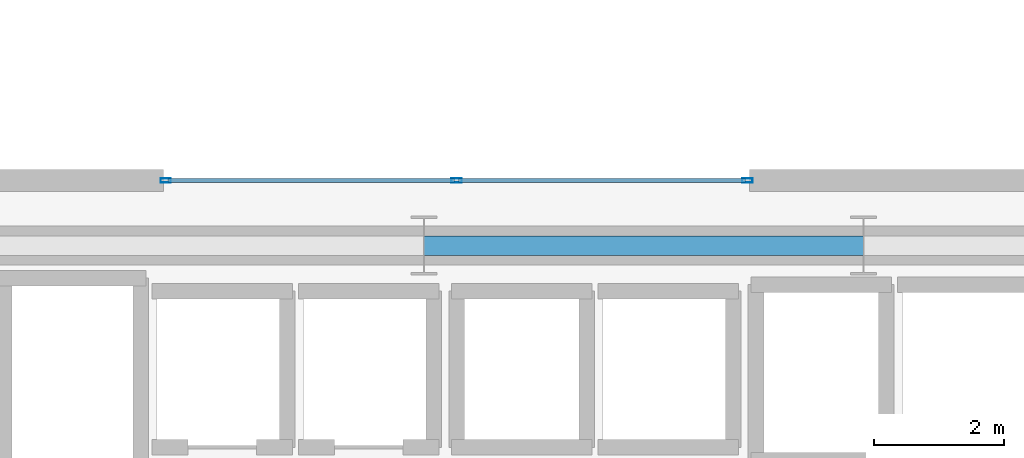
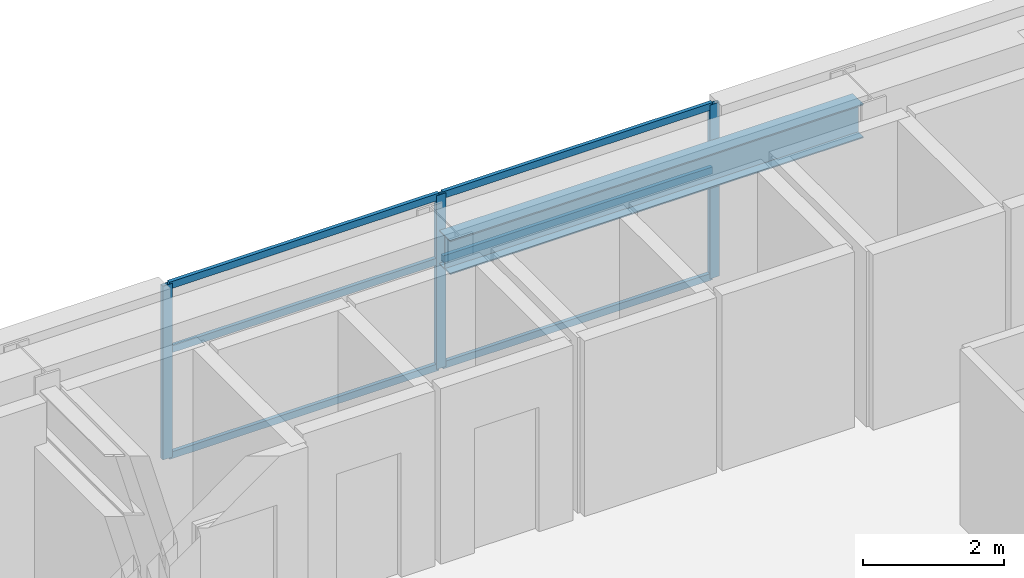
# One storey, part 4 of 22: 9 members, 1 beam, 1 element without a shape of its own.
"""IFC4 building model written with IfcOpenShell, lengths in metres."""

from ifc_helpers import new_model, si_unit, direction, frame, origin, origin_2d, place, context, subcontext, project, spatial, hollow_rectangle, i_section, extrude, material, layer, layer_set, material_profile, profile_set, type_object, element, aggregate, save


model = new_model("IFC4")

# Units and contexts
model_context = context("Model", 3, precision=1e-05, world=origin(), true_north=direction((0.0, 1.0)))
body_context = subcontext(model_context, "Body", "Model", "MODEL_VIEW")
ifc_project = project(units=[si_unit("LENGTHUNIT", "METRE"), si_unit("AREAUNIT", "SQUARE_METRE"), si_unit("VOLUMEUNIT", "CUBIC_METRE"), si_unit("PLANEANGLEUNIT", "RADIAN"), si_unit("MASSUNIT", "GRAM", prefix="KILO")], contexts=[model_context])

# Site, building, storey
site_placement = place(None, origin())
site = spatial("IfcSite", under=ifc_project, at=site_placement, CompositionType="ELEMENT")
building_placement = place(site_placement, origin())
building = spatial("IfcBuilding", under=site, at=building_placement, Name="Haevon Station Towers", CompositionType="ELEMENT")
storey_placement = place(building_placement, frame((0.0, 0.0, 70.199951171875)))
storey = spatial("IfcBuildingStorey", under=building, at=storey_placement, Name="L18", CompositionType="ELEMENT", Elevation=70.199951171875)

# Beam
ifc_material_1 = material(Name="Steel S355", Category="steel")
ifc_material_profile_1 = material_profile(ifc_material_1, i_section(OverallWidth=0.300048828125, OverallDepth=0.587890625, WebThickness=0.011962890625, FlangeThickness=0.02001953125, at=origin_2d()), Name="H-588x300x12x20")
ifc_profile_set_1 = profile_set([ifc_material_profile_1], Name="Steel S355")
beam_type = type_object("IfcBeamType", Name="BM-SP588", PredefinedType="SPANDREL", material=ifc_profile_set_1)
beam_placement = place(storey_placement, frame((37.5, 48.0, 2.756103515625), z_axis=(1.0, 0.0, 0.0), x_axis=(0.0, 1.0, 0.0)))
element("IfcBeam", 1, at=beam_placement, inside=storey, type_object=beam_type, Name="BM-T1U-L18-04-04", PredefinedType="SPANDREL", context=body_context, shape_type="SweptSolid", body=[
    extrude(i_section(OverallWidth=0.300048828125, OverallDepth=0.587890625, WebThickness=0.011962890625, FlangeThickness=0.02001953125, at=origin_2d()), origin(), (0.0, 0.0, 1.0), 6.75),
])

# Curtain wall, members
ifc_material_2 = material(Name="Anodised aluminium and Low-E double glazing", Category="aluminium")
ifc_layer = layer(ifc_material_2, 0.179931640625)
ifc_layer_set = layer_set([ifc_layer], Name="Anodised aluminium and Low-E double glazing")
curtain_wall_type = type_object("IfcCurtainWallType", Name="CW-SYS4", PredefinedType="NOTDEFINED", material=ifc_layer_set)
curtain_wall_placement = place(storey_placement, origin())
curtain_wall = element("IfcCurtainWall", 2, at=curtain_wall_placement, inside=storey, type_object=curtain_wall_type, Name="L18 Curtain Wall CW-T1-L18-N", PredefinedType="NOTDEFINED")
ifc_material_3 = material(Name="Anodised aluminium 6063-T6", Category="aluminium")
ifc_material_profile_2 = material_profile(ifc_material_3, hollow_rectangle(XDim=0.06494140625, YDim=0.159912109375, WallThickness=0.00390625, at=origin_2d()), Name="CWM-160x65x4")
ifc_profile_set_2 = profile_set([ifc_material_profile_2], Name="Anodised aluminium 6063-T6")
member_type_1 = type_object("IfcMemberType", Name="CWM-160", PredefinedType="MULLION", material=ifc_profile_set_2)
member_1_placement = place(storey_placement, frame((33.532470703125, 49.0, 0.0), z_axis=(0.0, 0.0, 1.0), x_axis=(0.0, 1.0, 0.0)))
member_1 = element("IfcMember", 3, at=member_1_placement, type_object=member_type_1, Name="CW-SYS4 mullion 1", PredefinedType="MULLION", context=body_context, shape_type="SweptSolid", body=[
    extrude(hollow_rectangle(XDim=0.06494140625, YDim=0.159912109375, WallThickness=0.00390625, at=origin_2d()), origin(), (0.0, 0.0, 1.0), 3.0),
])
member_2_placement = place(storey_placement, frame((38.0, 49.0, 0.0), z_axis=(0.0, 0.0, 1.0), x_axis=(0.0, 1.0, 0.0)))
member_2 = element("IfcMember", 4, at=member_2_placement, type_object=member_type_1, Name="CW-SYS4 mullion 2", PredefinedType="MULLION", context=body_context, shape_type="SweptSolid", body=[
    extrude(hollow_rectangle(XDim=0.06494140625, YDim=0.159912109375, WallThickness=0.00390625, at=origin_2d()), origin(), (0.0, 0.0, 1.0), 3.0),
])
member_3_placement = place(storey_placement, frame((42.467529296875, 49.0, 0.0), z_axis=(0.0, 0.0, 1.0), x_axis=(0.0, 1.0, 0.0)))
member_3 = element("IfcMember", 5, at=member_3_placement, type_object=member_type_1, Name="CW-SYS4 mullion 3", PredefinedType="MULLION", context=body_context, shape_type="SweptSolid", body=[
    extrude(hollow_rectangle(XDim=0.06494140625, YDim=0.159912109375, WallThickness=0.00390625, at=origin_2d()), origin(), (0.0, 0.0, 1.0), 3.0),
])
ifc_material_profile_3 = material_profile(ifc_material_3, hollow_rectangle(XDim=0.06005859375, YDim=0.1201171875, WallThickness=0.0029296875, at=origin_2d()), Name="CWT-120x60x3")
ifc_profile_set_3 = profile_set([ifc_material_profile_3], Name="Anodised aluminium 6063-T6")
member_type_2 = type_object("IfcMemberType", Name="CWT-120", PredefinedType="USERDEFINED", material=ifc_profile_set_3)
member_4_placement = place(storey_placement, frame((33.56494140625, 49.0, 0.030029296875), z_axis=(1.0, 0.0, 0.0), x_axis=(0.0, 1.0, 0.0)))
member_4 = element("IfcMember", 6, at=member_4_placement, type_object=member_type_2, Name="CW-SYS4 transom 1.1", ObjectType="TRANSOM", PredefinedType="USERDEFINED", context=body_context, shape_type="SweptSolid", body=[
    extrude(hollow_rectangle(XDim=0.06005859375, YDim=0.1201171875, WallThickness=0.0029296875, at=origin_2d()), origin(), (0.0, 0.0, 1.0), 4.402587890625),
])
member_5_placement = place(storey_placement, frame((33.56494140625, 49.0, 1.860107421875), z_axis=(1.0, 0.0, 0.0), x_axis=(0.0, 1.0, 0.0)))
member_5 = element("IfcMember", 7, at=member_5_placement, type_object=member_type_2, Name="CW-SYS4 transom 1.2", ObjectType="TRANSOM", PredefinedType="USERDEFINED", context=body_context, shape_type="SweptSolid", body=[
    extrude(hollow_rectangle(XDim=0.06005859375, YDim=0.1201171875, WallThickness=0.0029296875, at=origin_2d()), origin(), (0.0, 0.0, 1.0), 4.402587890625),
])
member_6_placement = place(storey_placement, frame((33.56494140625, 49.0, 2.969970703125), z_axis=(1.0, 0.0, 0.0), x_axis=(0.0, 1.0, 0.0)))
member_6 = element("IfcMember", 8, at=member_6_placement, type_object=member_type_2, Name="CW-SYS4 transom 1.3", ObjectType="TRANSOM", PredefinedType="USERDEFINED", context=body_context, shape_type="SweptSolid", body=[
    extrude(hollow_rectangle(XDim=0.06005859375, YDim=0.1201171875, WallThickness=0.0029296875, at=origin_2d()), origin(), (0.0, 0.0, 1.0), 4.402587890625),
])
member_7_placement = place(storey_placement, frame((38.032470703125, 49.0, 0.030029296875), z_axis=(1.0, 0.0, 0.0), x_axis=(0.0, 1.0, 0.0)))
member_7 = element("IfcMember", 9, at=member_7_placement, type_object=member_type_2, Name="CW-SYS4 transom 2.1", ObjectType="TRANSOM", PredefinedType="USERDEFINED", context=body_context, shape_type="SweptSolid", body=[
    extrude(hollow_rectangle(XDim=0.06005859375, YDim=0.1201171875, WallThickness=0.0029296875, at=origin_2d()), origin(), (0.0, 0.0, 1.0), 4.402587890625),
])
member_8_placement = place(storey_placement, frame((38.032470703125, 49.0, 1.860107421875), z_axis=(1.0, 0.0, 0.0), x_axis=(0.0, 1.0, 0.0)))
member_8 = element("IfcMember", 10, at=member_8_placement, type_object=member_type_2, Name="CW-SYS4 transom 2.2", ObjectType="TRANSOM", PredefinedType="USERDEFINED", context=body_context, shape_type="SweptSolid", body=[
    extrude(hollow_rectangle(XDim=0.06005859375, YDim=0.1201171875, WallThickness=0.0029296875, at=origin_2d()), origin(), (0.0, 0.0, 1.0), 4.402587890625),
])
member_9_placement = place(storey_placement, frame((38.032470703125, 49.0, 2.969970703125), z_axis=(1.0, 0.0, 0.0), x_axis=(0.0, 1.0, 0.0)))
member_9 = element("IfcMember", 11, at=member_9_placement, type_object=member_type_2, Name="CW-SYS4 transom 2.3", ObjectType="TRANSOM", PredefinedType="USERDEFINED", context=body_context, shape_type="SweptSolid", body=[
    extrude(hollow_rectangle(XDim=0.06005859375, YDim=0.1201171875, WallThickness=0.0029296875, at=origin_2d()), origin(), (0.0, 0.0, 1.0), 4.402587890625),
])
aggregate(curtain_wall, [member_1, member_2, member_3, member_4, member_5, member_6, member_7, member_8, member_9])

save(model, "model.ifc")
